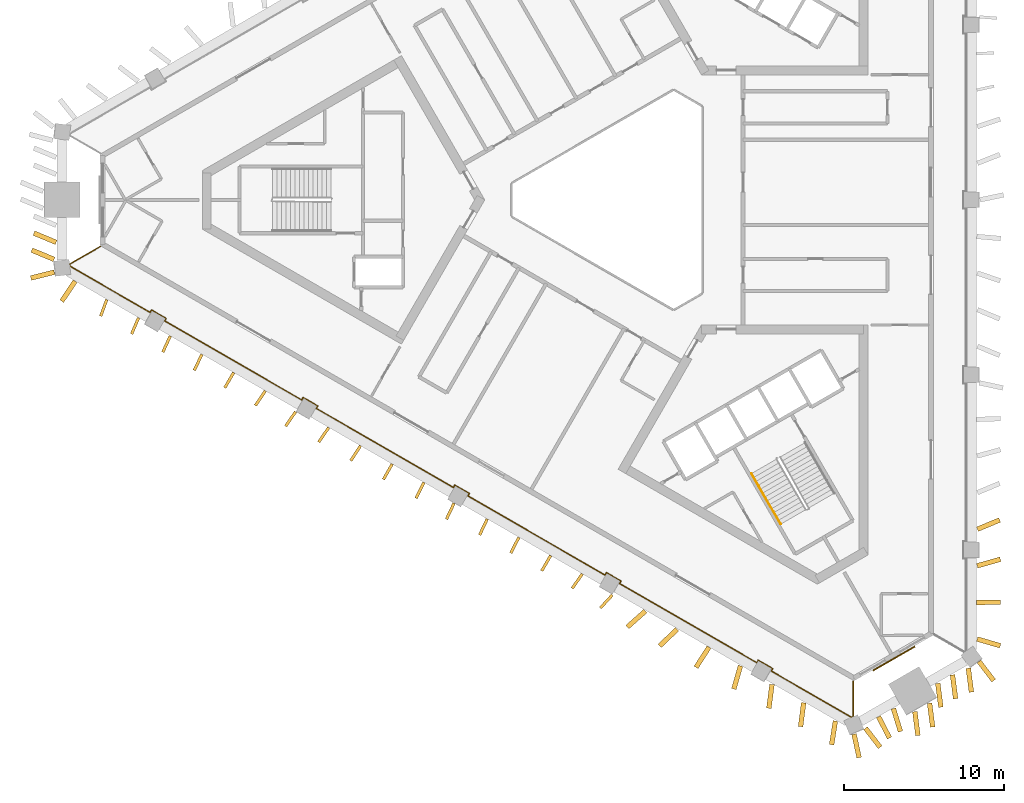
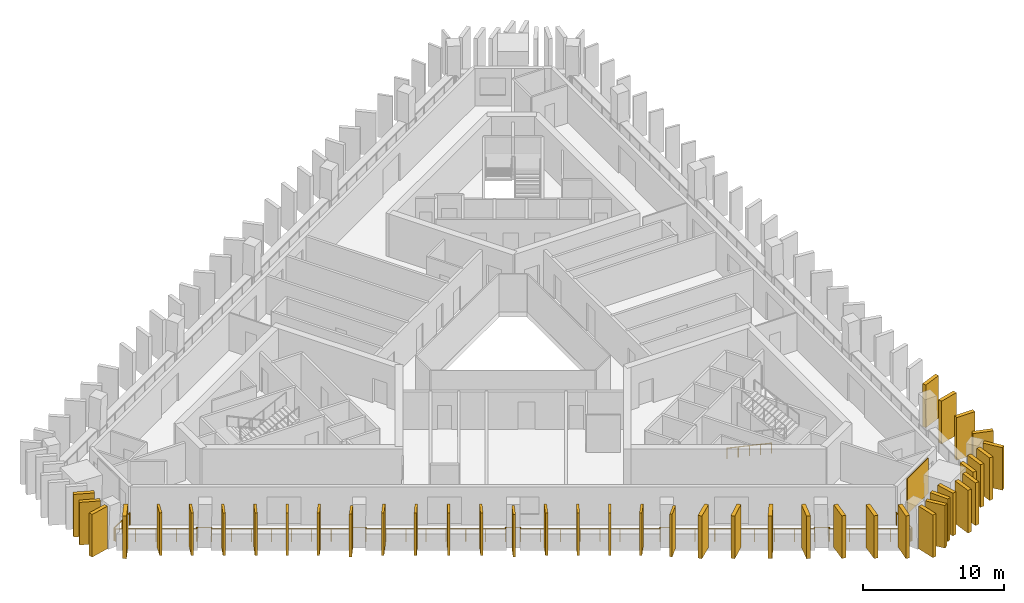
# One storey, part 7 of 10: 42 shading devices, 2 railings, 1 covering.
"""IFC4 building model written with IfcOpenShell, lengths in metres."""

from ifc_helpers import new_model, si_unit, direction, frame, frame_2d, origin, origin_2d, place, context, subcontext, project, spatial, rectangle, circle, extrude, material, layer, layer_set, type_object, element, save


model = new_model("IFC4")

# Units and contexts
model_context = context("Model", 3, precision=1e-05, world=origin(), true_north=direction((0.0, 1.0)))
body_context = subcontext(model_context, "Body", "Model", "MODEL_VIEW")
ifc_project = project(units=[si_unit("LENGTHUNIT", "METRE"), si_unit("AREAUNIT", "SQUARE_METRE"), si_unit("VOLUMEUNIT", "CUBIC_METRE"), si_unit("PLANEANGLEUNIT", "RADIAN"), si_unit("MASSUNIT", "GRAM", prefix="KILO")], contexts=[model_context])

# Site, building, storey
site_placement = place(None, origin())
site = spatial("IfcSite", under=ifc_project, at=site_placement, CompositionType="ELEMENT")
building_placement = place(site_placement, origin())
building = spatial("IfcBuilding", under=site, at=building_placement, Name="Jabali Bay Hotel Tower and Convention Centre", CompositionType="ELEMENT")
storey_placement = place(building_placement, frame((0.0, 0.0, 163.699951171875)))
storey = spatial("IfcBuildingStorey", under=building, at=storey_placement, Name="L39", CompositionType="ELEMENT", Elevation=163.699951171875)

# Railing
ifc_material_1 = material(Name="Glass", Category="glass")
railing_type_1 = type_object("IfcRailingType", Name="Loggia glass guard 1100", PredefinedType="BALUSTRADE", material=ifc_material_1)
railing_1_placement = place(storey_placement, frame((88.960205078125, 49.999755859375, 0.0)))
element("IfcRailing", 1, at=railing_1_placement, inside=storey, type_object=railing_type_1, Name="Loggia glass guard L39", PredefinedType="BALUSTRADE", context=body_context, shape_type="SweptSolid", body=[
    extrude(circle(Radius=0.02490234375, at=origin_2d()), frame((0.0, 0.0, 1.0751953125), z_axis=(0.0, -1.0, 0.0), x_axis=(0.991444861374, 0.0, 0.13052619222)), (0.0, 0.0, 1.0), 2.192626953125),
    extrude(circle(Radius=0.02490234375, at=origin_2d()), frame((0.0, -2.192626953125, 1.0751953125), z_axis=(-0.91884459615, -0.394619573926, 0.0), x_axis=(0.391243548766, -0.910983753254, 0.13052619222)), (0.0, 0.0, 1.0), 0.126220703125),
    extrude(circle(Radius=0.02490234375, at=origin_2d()), frame((-0.115966796875, -2.242431640625, 1.0751953125), z_axis=(-0.866011165082, 0.500024661345, 0.0), x_axis=(-0.495746881051, -0.858602319513, 0.13052619222)), (0.0, 0.0, 1.0), 5.757568359375),
    extrude(circle(Radius=0.02490234375, at=origin_2d()), frame((-5.10205078125, 0.636474609375, 1.0751953125), z_axis=(0.501091290591, 0.865394429433, 0.0), x_axis=(-0.857990860123, 0.496804385136, 0.13052619222)), (0.0, 0.0, 1.0), 0.1748046875),
    extrude(circle(Radius=0.02490234375, at=origin_2d()), frame((-5.014404296875, 0.787841796875, 1.0751953125), z_axis=(-0.865988129768, 0.500064554934, 0.0), x_axis=(-0.495786433345, -0.858579481269, 0.13052619222)), (0.0, 0.0, 1.0), 1.050048828125),
    extrude(circle(Radius=0.02490234375, at=origin_2d()), frame((-5.923828125, 1.31298828125, 1.0751953125), z_axis=(-0.499440622861, -0.866348119543, 0.0), x_axis=(0.858936391282, -0.495167839097, 0.13052619222)), (0.0, 0.0, 1.0), 0.175048828125),
    extrude(circle(Radius=0.02490234375, at=origin_2d()), frame((-6.01123046875, 1.161376953125, 1.0751953125), z_axis=(-0.866026081843, 0.499998825566, 0.0), x_axis=(-0.495721266301, -0.858617108659, 0.13052619222)), (0.0, 0.0, 1.0), 9.8642578125),
    extrude(circle(Radius=0.02490234375, at=origin_2d()), frame((-14.553955078125, 6.093505859375, 1.0751953125), z_axis=(0.499440622861, 0.866348119543, 0.0), x_axis=(-0.858936391282, 0.495167839097, 0.13052619222)), (0.0, 0.0, 1.0), 0.175048828125),
    extrude(circle(Radius=0.02490234375, at=origin_2d()), frame((-14.466552734375, 6.2451171875, 1.0751953125), z_axis=(-0.866030680601, 0.499990860175, 0.0), x_axis=(-0.495713369054, -0.858621668074, 0.13052619222)), (0.0, 0.0, 1.0), 1.0498046875),
    extrude(circle(Radius=0.02490234375, at=origin_2d()), frame((-15.375732421875, 6.77001953125, 1.0751953125), z_axis=(-0.500486622847, -0.865744269604, 0.0), x_axis=(0.858337707362, -0.496204890408, 0.13052619222)), (0.0, 0.0, 1.0), 0.175048828125),
    extrude(circle(Radius=0.02490234375, at=origin_2d()), frame((-15.46337890625, 6.618408203125, 1.0751953125), z_axis=(-0.866019894181, 0.500009542791, 0.0), x_axis=(-0.495731891838, -0.858610973934, 0.13052619222)), (0.0, 0.0, 1.0), 9.864013671875),
    extrude(circle(Radius=0.02490234375, at=origin_2d()), frame((-24.005859375, 11.550537109375, 1.0751953125), z_axis=(0.499440622861, 0.866348119543, 0.0), x_axis=(-0.858936391282, 0.495167839097, 0.13052619222)), (0.0, 0.0, 1.0), 0.175048828125),
    extrude(circle(Radius=0.02490234375, at=origin_2d()), frame((-23.91845703125, 11.7021484375, 1.0751953125), z_axis=(-0.866030680601, 0.499990860175, 0.0), x_axis=(-0.495713369054, -0.858621668074, 0.13052619222)), (0.0, 0.0, 1.0), 1.0498046875),
    extrude(circle(Radius=0.02490234375, at=origin_2d()), frame((-24.82763671875, 12.22705078125, 1.0751953125), z_axis=(-0.501091290591, -0.865394429433, 0.0), x_axis=(0.857990860123, -0.496804385136, 0.13052619222)), (0.0, 0.0, 1.0), 0.1748046875),
    extrude(circle(Radius=0.02490234375, at=origin_2d()), frame((-24.915283203125, 12.07568359375, 1.0751953125), z_axis=(-0.866030611531, 0.49999097981, 0.0), x_axis=(-0.495713487666, -0.858621599595, 0.13052619222)), (0.0, 0.0, 1.0), 9.864013671875),
    extrude(circle(Radius=0.02490234375, at=origin_2d()), frame((-33.457763671875, 17.007568359375, 1.0751953125), z_axis=(0.499440622861, 0.866348119543, 0.0), x_axis=(-0.858936391282, 0.495167839097, 0.13052619222)), (0.0, 0.0, 1.0), 0.175048828125),
    extrude(circle(Radius=0.02490234375, at=origin_2d()), frame((-33.370361328125, 17.1591796875, 1.0751953125), z_axis=(-0.865988129768, 0.500064554934, 0.0), x_axis=(-0.495786433345, -0.858579481269, 0.13052619222)), (0.0, 0.0, 1.0), 1.050048828125),
    extrude(circle(Radius=0.02490234375, at=origin_2d()), frame((-34.27978515625, 17.684326171875, 1.0751953125), z_axis=(-0.499440622861, -0.866348119543, 0.0), x_axis=(0.858936391282, -0.495167839097, 0.13052619222)), (0.0, 0.0, 1.0), 0.175048828125),
    extrude(circle(Radius=0.02490234375, at=origin_2d()), frame((-34.3671875, 17.53271484375, 1.0751953125), z_axis=(-0.866026081843, 0.499998825566, 0.0), x_axis=(-0.495721266301, -0.858617108659, 0.13052619222)), (0.0, 0.0, 1.0), 9.8642578125),
    extrude(circle(Radius=0.02490234375, at=origin_2d()), frame((-42.909912109375, 22.46484375, 1.0751953125), z_axis=(0.501091290591, 0.865394429433, 0.0), x_axis=(-0.857990860123, 0.496804385136, 0.13052619222)), (0.0, 0.0, 1.0), 0.1748046875),
    extrude(circle(Radius=0.02490234375, at=origin_2d()), frame((-42.822265625, 22.6162109375, 1.0751953125), z_axis=(-0.865988129768, 0.500064554934, 0.0), x_axis=(-0.495786433345, -0.858579481269, 0.13052619222)), (0.0, 0.0, 1.0), 1.050048828125),
    extrude(circle(Radius=0.02490234375, at=origin_2d()), frame((-43.731689453125, 23.141357421875, 1.0751953125), z_axis=(-0.499440622861, -0.866348119543, 0.0), x_axis=(0.858936391282, -0.495167839097, 0.13052619222)), (0.0, 0.0, 1.0), 0.175048828125),
    extrude(circle(Radius=0.02490234375, at=origin_2d()), frame((-43.819091796875, 22.98974609375, 1.0751953125), z_axis=(-0.86602952684, 0.49999285859, 0.0), x_axis=(-0.495715350372, -0.858620524184, 0.13052619222)), (0.0, 0.0, 1.0), 5.75732421875),
    extrude(circle(Radius=0.02490234375, at=origin_2d()), frame((-48.80517578125, 25.868408203125, 1.0751953125), z_axis=(-0.119984594018, 0.992775753732, 0.0), x_axis=(-0.984282419534, -0.118958109183, 0.13052619222)), (0.0, 0.0, 1.0), 0.126220703125),
    extrude(circle(Radius=0.02490234375, at=origin_2d()), frame((-48.8203125, 25.99365234375, 1.0751953125), z_axis=(0.866035418383, 0.499982653806, 0.0), x_axis=(-0.495705232892, 0.858626365323, 0.13052619222)), (0.0, 0.0, 1.0), 2.19287109375),
    extrude(circle(Radius=0.02001953125, at=origin_2d()), origin(), (0.0, 0.0, 1.0), 1.050048828125),
    extrude(circle(Radius=0.02001953125, at=origin_2d()), frame((0.0, -1.09619140625, 0.0)), (0.0, 0.0, 1.0), 1.050048828125),
    extrude(circle(Radius=0.02001953125, at=origin_2d()), frame((0.0, -2.192626953125, 0.0)), (0.0, 0.0, 1.0), 1.050048828125),
    extrude(circle(Radius=0.02001953125, at=origin_2d()), frame((-0.115966796875, -2.242431640625, 0.0)), (0.0, 0.0, 1.0), 1.050048828125),
    extrude(circle(Radius=0.02001953125, at=origin_2d()), frame((-1.362548828125, -1.522705078125, 0.0)), (0.0, 0.0, 1.0), 1.050048828125),
    extrude(circle(Radius=0.02001953125, at=origin_2d()), frame((-2.60888671875, -0.802978515625, 0.0)), (0.0, 0.0, 1.0), 1.050048828125),
    extrude(circle(Radius=0.02001953125, at=origin_2d()), frame((-3.85546875, -0.083251953125, 0.0)), (0.0, 0.0, 1.0), 1.050048828125),
    extrude(circle(Radius=0.02001953125, at=origin_2d()), frame((-5.10205078125, 0.636474609375, 0.0)), (0.0, 0.0, 1.0), 1.050048828125),
    extrude(circle(Radius=0.02001953125, at=origin_2d()), frame((-5.014404296875, 0.787841796875, 0.0)), (0.0, 0.0, 1.0), 1.050048828125),
    extrude(circle(Radius=0.02001953125, at=origin_2d()), frame((-5.923828125, 1.31298828125, 0.0)), (0.0, 0.0, 1.0), 1.050048828125),
    extrude(circle(Radius=0.02001953125, at=origin_2d()), frame((-6.01123046875, 1.161376953125, 0.0)), (0.0, 0.0, 1.0), 1.050048828125),
    extrude(circle(Radius=0.02001953125, at=origin_2d()), frame((-7.231689453125, 1.865966796875, 0.0)), (0.0, 0.0, 1.0), 1.050048828125),
    extrude(circle(Radius=0.02001953125, at=origin_2d()), frame((-8.451904296875, 2.570556640625, 0.0)), (0.0, 0.0, 1.0), 1.050048828125),
    extrude(circle(Radius=0.02001953125, at=origin_2d()), frame((-9.67236328125, 3.275146484375, 0.0)), (0.0, 0.0, 1.0), 1.050048828125),
    extrude(circle(Radius=0.02001953125, at=origin_2d()), frame((-10.892822265625, 3.979736328125, 0.0)), (0.0, 0.0, 1.0), 1.050048828125),
    extrude(circle(Radius=0.02001953125, at=origin_2d()), frame((-12.11328125, 4.684326171875, 0.0)), (0.0, 0.0, 1.0), 1.050048828125),
    extrude(circle(Radius=0.02001953125, at=origin_2d()), frame((-13.33349609375, 5.388916015625, 0.0)), (0.0, 0.0, 1.0), 1.050048828125),
    extrude(circle(Radius=0.02001953125, at=origin_2d()), frame((-14.553955078125, 6.093505859375, 0.0)), (0.0, 0.0, 1.0), 1.050048828125),
    extrude(circle(Radius=0.02001953125, at=origin_2d()), frame((-14.466552734375, 6.2451171875, 0.0)), (0.0, 0.0, 1.0), 1.050048828125),
    extrude(circle(Radius=0.02001953125, at=origin_2d()), frame((-15.375732421875, 6.77001953125, 0.0)), (0.0, 0.0, 1.0), 1.050048828125),
    extrude(circle(Radius=0.02001953125, at=origin_2d()), frame((-15.46337890625, 6.618408203125, 0.0)), (0.0, 0.0, 1.0), 1.050048828125),
    extrude(circle(Radius=0.02001953125, at=origin_2d()), frame((-16.683837890625, 7.322998046875, 0.0)), (0.0, 0.0, 1.0), 1.050048828125),
    extrude(circle(Radius=0.02001953125, at=origin_2d()), frame((-17.904052734375, 8.027587890625, 0.0)), (0.0, 0.0, 1.0), 1.050048828125),
    extrude(circle(Radius=0.02001953125, at=origin_2d()), frame((-19.12451171875, 8.732177734375, 0.0)), (0.0, 0.0, 1.0), 1.050048828125),
    extrude(circle(Radius=0.02001953125, at=origin_2d()), frame((-20.3447265625, 9.436767578125, 0.0)), (0.0, 0.0, 1.0), 1.050048828125),
    extrude(circle(Radius=0.02001953125, at=origin_2d()), frame((-21.565185546875, 10.141357421875, 0.0)), (0.0, 0.0, 1.0), 1.050048828125),
    extrude(circle(Radius=0.02001953125, at=origin_2d()), frame((-22.785400390625, 10.845947265625, 0.0)), (0.0, 0.0, 1.0), 1.050048828125),
    extrude(circle(Radius=0.02001953125, at=origin_2d()), frame((-24.005859375, 11.550537109375, 0.0)), (0.0, 0.0, 1.0), 1.050048828125),
    extrude(circle(Radius=0.02001953125, at=origin_2d()), frame((-23.91845703125, 11.7021484375, 0.0)), (0.0, 0.0, 1.0), 1.050048828125),
    extrude(circle(Radius=0.02001953125, at=origin_2d()), frame((-24.82763671875, 12.22705078125, 0.0)), (0.0, 0.0, 1.0), 1.050048828125),
    extrude(circle(Radius=0.02001953125, at=origin_2d()), frame((-24.915283203125, 12.07568359375, 0.0)), (0.0, 0.0, 1.0), 1.050048828125),
    extrude(circle(Radius=0.02001953125, at=origin_2d()), frame((-26.1357421875, 12.7802734375, 0.0)), (0.0, 0.0, 1.0), 1.050048828125),
    extrude(circle(Radius=0.02001953125, at=origin_2d()), frame((-27.35595703125, 13.48486328125, 0.0)), (0.0, 0.0, 1.0), 1.050048828125),
    extrude(circle(Radius=0.02001953125, at=origin_2d()), frame((-28.576416015625, 14.189453125, 0.0)), (0.0, 0.0, 1.0), 1.050048828125),
    extrude(circle(Radius=0.02001953125, at=origin_2d()), frame((-29.796630859375, 14.893798828125, 0.0)), (0.0, 0.0, 1.0), 1.050048828125),
    extrude(circle(Radius=0.02001953125, at=origin_2d()), frame((-31.01708984375, 15.598388671875, 0.0)), (0.0, 0.0, 1.0), 1.050048828125),
    extrude(circle(Radius=0.02001953125, at=origin_2d()), frame((-32.2373046875, 16.302978515625, 0.0)), (0.0, 0.0, 1.0), 1.050048828125),
    extrude(circle(Radius=0.02001953125, at=origin_2d()), frame((-33.457763671875, 17.007568359375, 0.0)), (0.0, 0.0, 1.0), 1.050048828125),
    extrude(circle(Radius=0.02001953125, at=origin_2d()), frame((-33.370361328125, 17.1591796875, 0.0)), (0.0, 0.0, 1.0), 1.050048828125),
    extrude(circle(Radius=0.02001953125, at=origin_2d()), frame((-34.27978515625, 17.684326171875, 0.0)), (0.0, 0.0, 1.0), 1.050048828125),
    extrude(circle(Radius=0.02001953125, at=origin_2d()), frame((-34.3671875, 17.53271484375, 0.0)), (0.0, 0.0, 1.0), 1.050048828125),
    extrude(circle(Radius=0.02001953125, at=origin_2d()), frame((-35.587646484375, 18.2373046875, 0.0)), (0.0, 0.0, 1.0), 1.050048828125),
    extrude(circle(Radius=0.02001953125, at=origin_2d()), frame((-36.807861328125, 18.94189453125, 0.0)), (0.0, 0.0, 1.0), 1.050048828125),
    extrude(circle(Radius=0.02001953125, at=origin_2d()), frame((-38.0283203125, 19.646484375, 0.0)), (0.0, 0.0, 1.0), 1.050048828125),
    extrude(circle(Radius=0.02001953125, at=origin_2d()), frame((-39.248779296875, 20.35107421875, 0.0)), (0.0, 0.0, 1.0), 1.050048828125),
    extrude(circle(Radius=0.02001953125, at=origin_2d()), frame((-40.46923828125, 21.0556640625, 0.0)), (0.0, 0.0, 1.0), 1.050048828125),
    extrude(circle(Radius=0.02001953125, at=origin_2d()), frame((-41.689453125, 21.76025390625, 0.0)), (0.0, 0.0, 1.0), 1.050048828125),
    extrude(circle(Radius=0.02001953125, at=origin_2d()), frame((-42.909912109375, 22.46484375, 0.0)), (0.0, 0.0, 1.0), 1.050048828125),
    extrude(circle(Radius=0.02001953125, at=origin_2d()), frame((-42.822265625, 22.6162109375, 0.0)), (0.0, 0.0, 1.0), 1.050048828125),
    extrude(circle(Radius=0.02001953125, at=origin_2d()), frame((-43.731689453125, 23.141357421875, 0.0)), (0.0, 0.0, 1.0), 1.050048828125),
    extrude(circle(Radius=0.02001953125, at=origin_2d()), frame((-43.819091796875, 22.98974609375, 0.0)), (0.0, 0.0, 1.0), 1.050048828125),
    extrude(circle(Radius=0.02001953125, at=origin_2d()), frame((-45.065673828125, 23.70947265625, 0.0)), (0.0, 0.0, 1.0), 1.050048828125),
    extrude(circle(Radius=0.02001953125, at=origin_2d()), frame((-46.31201171875, 24.42919921875, 0.0)), (0.0, 0.0, 1.0), 1.050048828125),
    extrude(circle(Radius=0.02001953125, at=origin_2d()), frame((-47.55859375, 25.148681640625, 0.0)), (0.0, 0.0, 1.0), 1.050048828125),
    extrude(circle(Radius=0.02001953125, at=origin_2d()), frame((-48.80517578125, 25.868408203125, 0.0)), (0.0, 0.0, 1.0), 1.050048828125),
    extrude(circle(Radius=0.02001953125, at=origin_2d()), frame((-48.8203125, 25.99365234375, 0.0)), (0.0, 0.0, 1.0), 1.050048828125),
    extrude(circle(Radius=0.02001953125, at=origin_2d()), frame((-47.87060546875, 26.5419921875, 0.0)), (0.0, 0.0, 1.0), 1.050048828125),
    extrude(circle(Radius=0.02001953125, at=origin_2d()), frame((-46.921142578125, 27.090087890625, 0.0)), (0.0, 0.0, 1.0), 1.050048828125),
])

# Shading devices
ifc_material_2 = material(Name="Precast concrete C60", Category="concrete")
ifc_layer_1 = layer(ifc_material_2, 0.179931640625)
ifc_layer_set_1 = layer_set([ifc_layer_1], Name="Precast concrete C60")
shading_device_type_1 = type_object("IfcShadingDeviceType", Name="Precast fin 3680 x 1100", PredefinedType="USERDEFINED", material=ifc_layer_set_1)
shading_device_1_placement = place(storey_placement, frame((42.447265625, 73.78515625, 0.010009765625), z_axis=(0.0, 0.0, 1.0), x_axis=(-0.345376180999, -0.938464327291, 0.0)))
element("IfcShadingDevice", 2, at=shading_device_1_placement, inside=storey, type_object=shading_device_type_1, Name="Fin L39 067", ObjectType="FIN", PredefinedType="USERDEFINED", context=body_context, shape_type="SweptSolid", body=[
    extrude(rectangle(XDim=1.099853515625, YDim=0.179931640625, at=frame_2d((0.5498046875, 0.0))), origin(), (0.0, 0.0, 1.0), 3.679931640625),
])
for number, where, z_axis, x_axis, name in (
    (3, (44.424560546875, 72.649169921875, 0.010009765625), (0.0, 0.0, 1.0), (-0.393705009986, -0.919236838422, 0.0), "Fin L39 068"),
    (4, (46.400634765625, 71.510986328125, 0.010009765625), (0.0, 0.0, 1.0), (-0.417678459743, -0.908594906582, 0.0), "Fin L39 069"),
    (5, (48.376220703125, 70.3720703125, 0.010009765625), (0.0, 0.0, 1.0), (-0.433668807039, -0.901072342158, 0.0), "Fin L39 070"),
    (6, (50.354248046875, 69.2373046875, 0.010009765625), (0.0, 0.0, 1.0), (-0.505360617931, -0.862908248799, 0.0), "Fin L39 071"),
    (7, (52.325927734375, 68.091796875, 0.010009765625), (0.0, 0.0, 1.0), (-0.562613509606, -0.826720048632, 0.0), "Fin L39 072"),
):
    element("IfcShadingDevice", number, at=place(storey_placement, frame(where, z_axis=z_axis, x_axis=x_axis)), inside=storey, type_object=shading_device_type_1, Name=name, ObjectType="FIN", PredefinedType="USERDEFINED", context=body_context, shape_type="SweptSolid", body=[
        extrude(rectangle(XDim=1.10009765625, YDim=0.179931640625, at=frame_2d((0.550048828125, 0.0))), origin(), (0.0, 0.0, 1.0), 3.679931640625),
    ])
shading_device_2_placement = place(storey_placement, frame((54.21337890625, 66.80029296875, 0.010009765625), z_axis=(0.0, 0.0, 1.0), x_axis=(-0.56733868641, -0.823484556566, 0.0)))
element("IfcShadingDevice", 8, at=shading_device_2_placement, inside=storey, type_object=shading_device_type_1, Name="Fin L39 073", ObjectType="FIN", PredefinedType="USERDEFINED", context=body_context, shape_type="SweptSolid", body=[
    extrude(rectangle(XDim=1.099853515625, YDim=0.179931640625, at=frame_2d((0.5498046875, 0.0))), origin(), (0.0, 0.0, 1.0), 3.679931640625),
])
shading_device_3_placement = place(storey_placement, frame((56.275390625, 65.81103515625, 0.010009765625), z_axis=(0.0, 0.0, 1.0), x_axis=(-0.567084454292, -0.823659651616, 0.0)))
element("IfcShadingDevice", 9, at=shading_device_3_placement, inside=storey, type_object=shading_device_type_1, Name="Fin L39 074", ObjectType="FIN", PredefinedType="USERDEFINED", context=body_context, shape_type="SweptSolid", body=[
    extrude(rectangle(XDim=1.10009765625, YDim=0.179931640625, at=frame_2d((0.550048828125, 0.0))), origin(), (0.0, 0.0, 1.0), 3.679931640625),
])
for number, where, z_axis, x_axis, name in (
    (10, (58.251708984375, 64.673095703125, 0.010009765625), (0.0, 0.0, 1.0), (-0.542708158616, -0.839921338324, 0.0), "Fin L39 075"),
    (11, (60.228271484375, 63.5361328125, 0.010009765625), (0.0, 0.0, 1.0), (-0.491662240403, -0.870785990564, 0.0), "Fin L39 076"),
):
    element("IfcShadingDevice", number, at=place(storey_placement, frame(where, z_axis=z_axis, x_axis=x_axis)), inside=storey, type_object=shading_device_type_1, Name=name, ObjectType="FIN", PredefinedType="USERDEFINED", context=body_context, shape_type="SweptSolid", body=[
        extrude(rectangle(XDim=1.099853515625, YDim=0.179931640625, at=frame_2d((0.5498046875, 0.0))), origin(), (0.0, 0.0, 1.0), 3.679931640625),
    ])
shading_device_4_placement = place(storey_placement, frame((62.200927734375, 62.391845703125, 0.010009765625), z_axis=(0.0, 0.0, 1.0), x_axis=(-0.446325606723, -0.894870634664, 0.0)))
element("IfcShadingDevice", 12, at=shading_device_4_placement, inside=storey, type_object=shading_device_type_1, Name="Fin L39 077", ObjectType="FIN", PredefinedType="USERDEFINED", context=body_context, shape_type="SweptSolid", body=[
    extrude(rectangle(XDim=1.10009765625, YDim=0.179931640625, at=frame_2d((0.550048828125, 0.0))), origin(), (0.0, 0.0, 1.0), 3.679931640625),
])
shading_device_5_placement = place(storey_placement, frame((64.08349609375, 61.09228515625, 0.010009765625), z_axis=(0.0, 0.0, 1.0), x_axis=(-0.428830424839, -0.903385004708, 0.0)))
element("IfcShadingDevice", 13, at=shading_device_5_placement, inside=storey, type_object=shading_device_type_1, Name="Fin L39 078", ObjectType="FIN", PredefinedType="USERDEFINED", context=body_context, shape_type="SweptSolid", body=[
    extrude(rectangle(XDim=1.099853515625, YDim=0.179931640625, at=frame_2d((0.5498046875, 0.0))), origin(), (0.0, 0.0, 1.0), 3.679931640625),
])
shading_device_6_placement = place(storey_placement, frame((66.149658203125, 60.10986328125, 0.010009765625), z_axis=(0.0, 0.0, 1.0), x_axis=(-0.427666532272, -0.903936578071, 0.0)))
element("IfcShadingDevice", 14, at=shading_device_6_placement, inside=storey, type_object=shading_device_type_1, Name="Fin L39 079", ObjectType="FIN", PredefinedType="USERDEFINED", context=body_context, shape_type="SweptSolid", body=[
    extrude(rectangle(XDim=1.10009765625, YDim=0.179931640625, at=frame_2d((0.550048828125, 0.0))), origin(), (0.0, 0.0, 1.0), 3.679931640625),
])
shading_device_7_placement = place(storey_placement, frame((68.125732421875, 58.971923828125, 0.010009765625), z_axis=(0.0, 0.0, 1.0), x_axis=(-0.45368304067, -0.891163115601, 0.0)))
element("IfcShadingDevice", 15, at=shading_device_7_placement, inside=storey, type_object=shading_device_type_1, Name="Fin L39 080", ObjectType="FIN", PredefinedType="USERDEFINED", context=body_context, shape_type="SweptSolid", body=[
    extrude(rectangle(XDim=1.099853515625, YDim=0.179931640625, at=frame_2d((0.5498046875, 0.0))), origin(), (0.0, 0.0, 1.0), 3.679931640625),
])
for number, where, z_axis, x_axis, name in (
    (16, (70.10302734375, 57.8359375, 0.010009765625), (0.0, 0.0, 1.0), (-0.50002983664, -0.866008176907, 0.0), "Fin L39 081"),
    (17, (72.07421875, 56.689208984375, 0.010009765625), (0.0, 0.0, 1.0), (-0.570375013662, -0.821384406834, 0.0), "Fin L39 082"),
    (18, (73.95166015625, 55.380615234375, 0.010009765625), (0.0, 0.0, 1.0), (-0.677320914754, -0.735687690829, 0.0), "Fin L39 083"),
):
    element("IfcShadingDevice", number, at=place(storey_placement, frame(where, z_axis=z_axis, x_axis=x_axis)), inside=storey, type_object=shading_device_type_1, Name=name, ObjectType="FIN", PredefinedType="USERDEFINED", context=body_context, shape_type="SweptSolid", body=[
        extrude(rectangle(XDim=1.10009765625, YDim=0.179931640625, at=frame_2d((0.550048828125, 0.0))), origin(), (0.0, 0.0, 1.0), 3.679931640625),
    ])
ifc_layer_2 = layer(ifc_material_2, 0.300048828125)
ifc_layer_set_2 = layer_set([ifc_layer_2], Name="Precast concrete C60")
shading_device_type_2 = type_object("IfcShadingDeviceType", Name="Precast fin 3680 x 1500", PredefinedType="USERDEFINED", material=ifc_layer_set_2)
shading_device_8_placement = place(storey_placement, frame((96.68505859375, 52.6357421875, 0.010009765625), z_axis=(0.0, 0.0, 1.0), x_axis=(0.959979948458, -0.280068738989, 0.0)))
element("IfcShadingDevice", 19, at=shading_device_8_placement, inside=storey, type_object=shading_device_type_2, Name="Fin L39 000", ObjectType="FIN", PredefinedType="USERDEFINED", context=body_context, shape_type="SweptSolid", body=[
    extrude(rectangle(XDim=1.500244140625, YDim=0.300048828125, at=frame_2d((0.75, 0.0))), origin(), (0.0, 0.0, 1.0), 3.679931640625),
])
shading_device_9_placement = place(storey_placement, frame((96.64453125, 54.916015625, 0.010009765625), z_axis=(0.0, 0.0, 1.0), x_axis=(0.999955445195, 0.009439683565, 0.0)))
element("IfcShadingDevice", 20, at=shading_device_9_placement, inside=storey, type_object=shading_device_type_2, Name="Fin L39 001", ObjectType="FIN", PredefinedType="USERDEFINED", context=body_context, shape_type="SweptSolid", body=[
    extrude(rectangle(XDim=1.5, YDim=0.300048828125, at=frame_2d((0.75, 0.0))), origin(), (0.0, 0.0, 1.0), 3.679931640625),
])
shading_device_10_placement = place(storey_placement, frame((96.683837890625, 57.1962890625, 0.010009765625), z_axis=(0.0, 0.0, 1.0), x_axis=(0.962451856411, 0.271452434307, 0.0)))
element("IfcShadingDevice", 21, at=shading_device_10_placement, inside=storey, type_object=shading_device_type_2, Name="Fin L39 002", ObjectType="FIN", PredefinedType="USERDEFINED", context=body_context, shape_type="SweptSolid", body=[
    extrude(rectangle(XDim=1.500244140625, YDim=0.300048828125, at=frame_2d((0.75, 0.0))), origin(), (0.0, 0.0, 1.0), 3.679931640625),
])
for number, where, z_axis, x_axis, name in (
    (22, (96.700927734375, 59.476806640625, 0.010009765625), (0.0, 0.0, 1.0), (0.923129890319, 0.384488238571, 0.0), "Fin L39 003"),
    (23, (39.29443359375, 77.351318359375, 0.010009765625), (0.0, 0.0, 1.0), (-0.923129890319, 0.384488238571, 0.0), "Fin L39 064"),
):
    element("IfcShadingDevice", number, at=place(storey_placement, frame(where, z_axis=z_axis, x_axis=x_axis)), inside=storey, type_object=shading_device_type_2, Name=name, ObjectType="FIN", PredefinedType="USERDEFINED", context=body_context, shape_type="SweptSolid", body=[
        extrude(rectangle(XDim=1.499755859375, YDim=0.300048828125, at=frame_2d((0.75, 0.0))), origin(), (0.0, 0.0, 1.0), 3.679931640625),
    ])
shading_device_11_placement = place(storey_placement, frame((39.158935546875, 76.291748046875, 0.010009765625), z_axis=(0.0, 0.0, 1.0), x_axis=(-0.923153948977, 0.38443047029, 0.0)))
element("IfcShadingDevice", 24, at=shading_device_11_placement, inside=storey, type_object=shading_device_type_2, Name="Fin L39 065", ObjectType="FIN", PredefinedType="USERDEFINED", context=body_context, shape_type="SweptSolid", body=[
    extrude(rectangle(XDim=1.5, YDim=0.300048828125, at=frame_2d((0.75, 0.0))), origin(), (0.0, 0.0, 1.0), 3.679931640625),
])
shading_device_12_placement = place(storey_placement, frame((40.47509765625, 74.9296875, 0.010009765625), z_axis=(0.0, 0.0, 1.0), x_axis=(-0.558001455056, -0.829839970208, 0.0)))
element("IfcShadingDevice", 25, at=shading_device_12_placement, inside=storey, type_object=shading_device_type_2, Name="Fin L39 066", ObjectType="FIN", PredefinedType="USERDEFINED", context=body_context, shape_type="SweptSolid", body=[
    extrude(rectangle(XDim=1.499755859375, YDim=0.300048828125, at=frame_2d((0.75, 0.0))), origin(), (0.0, 0.0, 1.0), 3.679931640625),
])
for number, where, z_axis, x_axis, name in (
    (26, (76.00390625, 54.37451171875, 0.010009765625), (0.0, 0.0, 1.0), (-0.747543998969, -0.664212292574, 0.0), "Fin L39 084"),
    (27, (77.981201171875, 53.238525390625, 0.010009765625), (0.0, 0.0, 1.0), (-0.724149543308, -0.689642979321, 0.0), "Fin L39 085"),
    (28, (79.9736328125, 52.12890625, 0.010009765625), (0.0, 0.0, 1.0), (-0.540839848331, -0.841125590181, 0.0), "Fin L39 086"),
    (29, (81.933837890625, 50.963134765625, 0.010009765625), (0.0, 0.0, 1.0), (-0.273581689483, -0.961848771471, 0.0), "Fin L39 087"),
):
    element("IfcShadingDevice", number, at=place(storey_placement, frame(where, z_axis=z_axis, x_axis=x_axis)), inside=storey, type_object=shading_device_type_2, Name=name, ObjectType="FIN", PredefinedType="USERDEFINED", context=body_context, shape_type="SweptSolid", body=[
        extrude(rectangle(XDim=1.5, YDim=0.300048828125, at=frame_2d((0.75, 0.0))), origin(), (0.0, 0.0, 1.0), 3.679931640625),
    ])
shading_device_13_placement = place(storey_placement, frame((83.898193359375, 49.8046875, 0.010009765625), z_axis=(0.0, 0.0, 1.0), x_axis=(-0.128921633235, -0.991654784935, 0.0)))
element("IfcShadingDevice", 30, at=shading_device_13_placement, inside=storey, type_object=shading_device_type_2, Name="Fin L39 088", ObjectType="FIN", PredefinedType="USERDEFINED", context=body_context, shape_type="SweptSolid", body=[
    extrude(rectangle(XDim=1.499755859375, YDim=0.300048828125, at=frame_2d((0.75, 0.0))), origin(), (0.0, 0.0, 1.0), 3.679931640625),
])
for number, where, z_axis, x_axis, name in (
    (31, (85.873046875, 48.66455078125, 0.010009765625), (0.0, 0.0, 1.0), (-0.128740771471, -0.99167828138, 0.0), "Fin L39 089"),
    (32, (87.849853515625, 47.52783203125, 0.010009765625), (0.0, 0.0, 1.0), (-0.157558809689, -0.987509605771, 0.0), "Fin L39 090"),
    (33, (89.725341796875, 47.078369140625, 0.010009765625), (0.0, 0.0, 1.0), (0.609049826054, -0.793131962149, 0.0), "Fin L39 091"),
    (34, (90.533447265625, 47.7978515625, 0.010009765625), (0.0, 0.0, 1.0), (0.45979924288, -0.888022891736, 0.0), "Fin L39 092"),
    (35, (91.46435546875, 48.30419921875, 0.010009765625), (0.0, 0.0, 1.0), (0.292644419167, -0.956221336266, 0.0), "Fin L39 093"),
    (36, (92.80029296875, 48.109619140625, 0.010009765625), (0.0, 0.0, 1.0), (0.129241761685, -0.991613113586, 0.0), "Fin L39 094"),
    (37, (93.7177734375, 48.639404296875, 0.010009765625), (0.0, 0.0, 1.0), (0.128580707026, -0.991699047988, 0.0), "Fin L39 095"),
    (38, (94.22900390625, 49.872802734375, 0.010009765625), (0.0, 0.0, 1.0), (0.128580707026, -0.991699047988, 0.0), "Fin L39 096"),
    (39, (95.146728515625, 50.402587890625, 0.010009765625), (0.0, 0.0, 1.0), (0.128580707026, -0.991699047988, 0.0), "Fin L39 097"),
    (40, (96.132080078125, 50.814697265625, 0.010009765625), (0.0, 0.0, 1.0), (0.128580707026, -0.991699047988, 0.0), "Fin L39 098"),
    (41, (96.79931640625, 51.236572265625, 0.010009765625), (0.0, 0.0, 1.0), (0.607214486475, -0.794537958448, 0.0), "Fin L39 099"),
):
    element("IfcShadingDevice", number, at=place(storey_placement, frame(where, z_axis=z_axis, x_axis=x_axis)), inside=storey, type_object=shading_device_type_2, Name=name, ObjectType="FIN", PredefinedType="USERDEFINED", context=body_context, shape_type="SweptSolid", body=[
        extrude(rectangle(XDim=1.5, YDim=0.300048828125, at=frame_2d((0.75, 0.0))), origin(), (0.0, 0.0, 1.0), 3.679931640625),
    ])
shading_device_14_placement = place(storey_placement, frame((39.174072265625, 75.49365234375, 0.010009765625), z_axis=(0.0, 0.0, 1.0), x_axis=(-0.970305057205, -0.241884468211, 0.0)))
element("IfcShadingDevice", 42, at=shading_device_14_placement, inside=storey, type_object=shading_device_type_2, Name="Fin L39 103", ObjectType="FIN", PredefinedType="USERDEFINED", context=body_context, shape_type="SweptSolid", body=[
    extrude(rectangle(XDim=1.499755859375, YDim=0.300048828125, at=frame_2d((0.75, 0.0))), origin(), (0.0, 0.0, 1.0), 3.679931640625),
])
shading_device_15_placement = place(storey_placement, frame((89.01025390625, 46.710205078125, 0.010009765625), z_axis=(0.0, 0.0, 1.0), x_axis=(0.211740392461, -0.977325946755, 0.0)))
element("IfcShadingDevice", 43, at=shading_device_15_placement, inside=storey, type_object=shading_device_type_2, Name="Fin L39 104", ObjectType="FIN", PredefinedType="USERDEFINED", context=body_context, shape_type="SweptSolid", body=[
    extrude(rectangle(XDim=1.5, YDim=0.300048828125, at=frame_2d((0.75, 0.0))), origin(), (0.0, 0.0, 1.0), 3.679931640625),
])

# Covering
ifc_material_3 = material(Name="Precast concrete C40/50", Category="concrete")
ifc_layer_3 = layer(ifc_material_3, 0.080078125)
ifc_layer_set_3 = layer_set([ifc_layer_3], Name="Precast concrete C40/50")
covering_type = type_object("IfcCoveringType", Name="Relief panel 3000 x 3050", PredefinedType="CLADDING", material=ifc_layer_set_3)
covering_placement = place(storey_placement, frame((91.50048828125, 51.420166015625, 0.10009765625), z_axis=(0.0, 0.0, 1.0), x_axis=(-0.866025364096, -0.500000068743, 0.0)))
element("IfcCovering", 44, at=covering_placement, inside=storey, type_object=covering_type, Name="Relief panel L39", PredefinedType="CLADDING", context=body_context, shape_type="SweptSolid", body=[
    extrude(rectangle(XDim=3.0, YDim=0.080078125, at=origin_2d()), origin(), (0.0, 0.0, 1.0), 3.050048828125),
])

# Railing
ifc_material_4 = material(Name="Steel Q355B", Category="steel")
railing_type_2 = type_object("IfcRailingType", Name="Stair handrail 900", PredefinedType="HANDRAIL", material=ifc_material_4)
railing_2_placement = place(storey_placement, frame((82.622802734375, 62.94677734375, 0.132080078125)))
element("IfcRailing", 45, at=railing_2_placement, inside=storey, type_object=railing_type_2, Name="L39 ST3 stair handrail 1", PredefinedType="HANDRAIL", context=body_context, shape_type="SweptSolid", body=[
    extrude(circle(Radius=0.02392578125, at=origin_2d()), frame((0.0, 0.0, 0.8759765625), z_axis=(0.45217862506, -0.783169739339, 0.426825081763), x_axis=(0.866018046521, 0.500012742938, 0.0)), (0.0, 0.0, 1.0), 4.025146484375),
    extrude(circle(Radius=0.02099609375, at=origin_2d()), origin(), (0.0, 0.0, 1.0), 0.851806640625),
    extrude(circle(Radius=0.02099609375, at=origin_2d()), frame((0.455078125, -0.7880859375, 0.429443359375)), (0.0, 0.0, 1.0), 0.851806640625),
    extrude(circle(Radius=0.02099609375, at=origin_2d()), frame((0.91015625, -1.576171875, 0.85888671875)), (0.0, 0.0, 1.0), 0.851806640625),
    extrude(circle(Radius=0.02099609375, at=origin_2d()), frame((1.364990234375, -2.3642578125, 1.28857421875)), (0.0, 0.0, 1.0), 0.851806640625),
    extrude(circle(Radius=0.02099609375, at=origin_2d()), frame((1.820068359375, -3.15234375, 1.718017578125)), (0.0, 0.0, 1.0), 0.851806640625),
])

save(model, "model.ifc")
